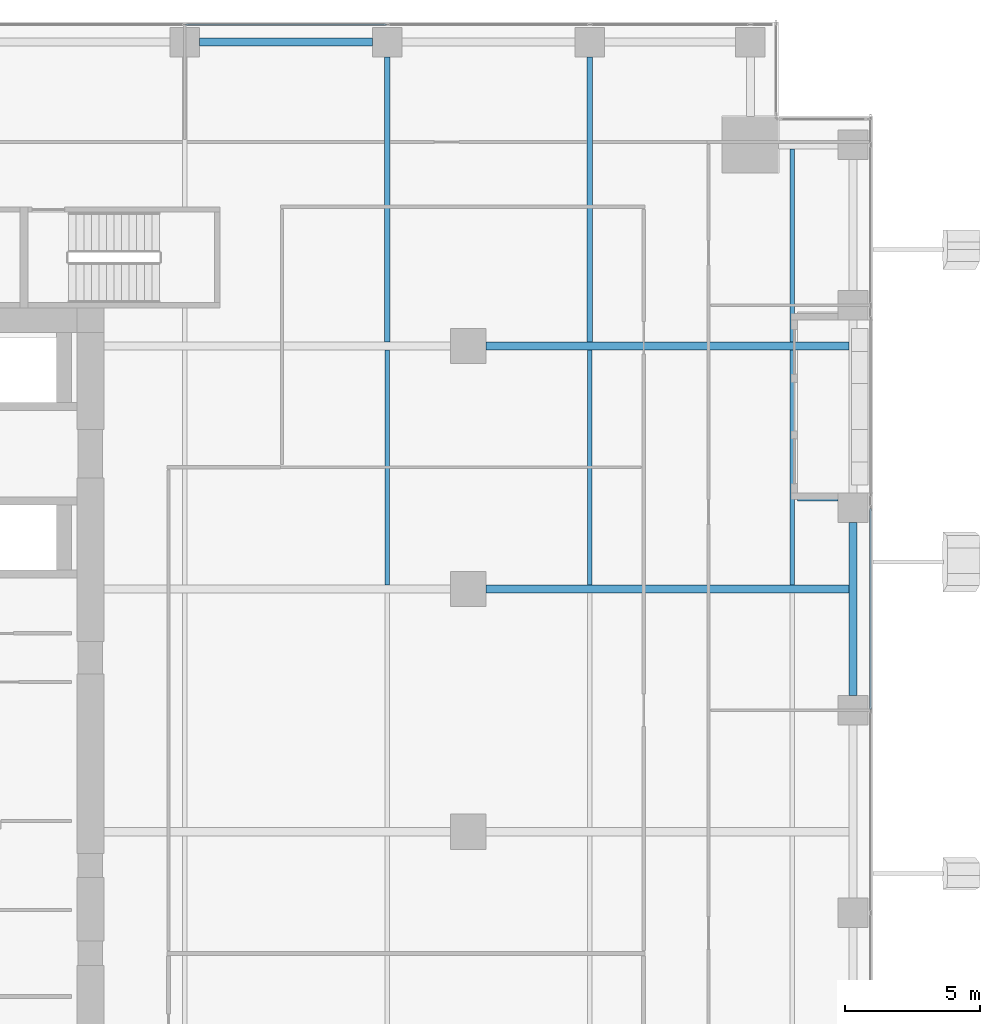
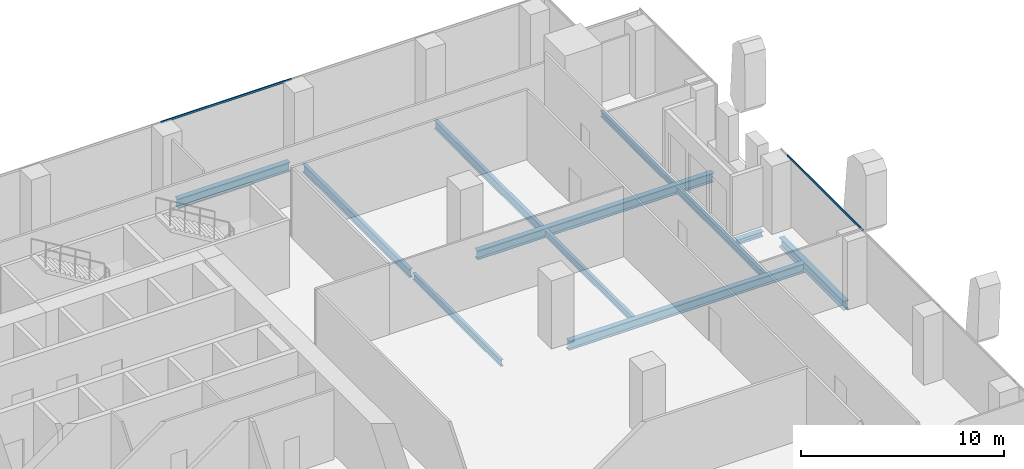
# One storey, part 18 of 35: 11 beams, 2 members, 2 elements without a shape of their own.
"""IFC4 building model written with IfcOpenShell, lengths in metres."""

from ifc_helpers import new_model, si_unit, direction, frame, origin, origin_2d, place, context, subcontext, project, spatial, hollow_rectangle, i_section, extrude, source, transform, mapped, material, material_profile, profile_set, type_object, element, aggregate, save


model = new_model("IFC4")

# Units and contexts
model_context = context("Model", 3, precision=1e-05, world=origin(), true_north=direction((0.0, 1.0)))
body_context = subcontext(model_context, "Body", "Model", "MODEL_VIEW")
ifc_project = project(units=[si_unit("LENGTHUNIT", "METRE"), si_unit("AREAUNIT", "SQUARE_METRE"), si_unit("VOLUMEUNIT", "CUBIC_METRE"), si_unit("PLANEANGLEUNIT", "RADIAN"), si_unit("MASSUNIT", "GRAM", prefix="KILO")], contexts=[model_context])

# Site, building, storey
site_placement = place(None, origin())
site = spatial("IfcSite", under=ifc_project, at=site_placement, CompositionType="ELEMENT")
building_placement = place(site_placement, origin())
building = spatial("IfcBuilding", under=site, at=building_placement, Name="Khomas Fold Tower", CompositionType="ELEMENT")
storey_placement = place(building_placement, frame((0.0, 0.0, 136.699951171875)))
storey = spatial("IfcBuildingStorey", under=building, at=storey_placement, Name="L29", CompositionType="ELEMENT", Elevation=136.699951171875)

# Beams
ifc_material_1 = material(Name="Steel S355", Category="steel")
ifc_material_profile_1 = material_profile(ifc_material_1, i_section(OverallWidth=0.179931640625, OverallDepth=0.39990234375, WebThickness=0.008544921875, FlangeThickness=0.013427734375, at=origin_2d()), Name="IPE 400")
ifc_profile_set_1 = profile_set([ifc_material_profile_1], Name="Steel S355")
beam_type_1 = type_object("IfcBeamType", Name="IPE 400 beam JB3", PredefinedType="BEAM", material=ifc_profile_set_1)
shared_shape_1 = source(origin(), body_context, "Body", "SweptSolid", [
    extrude(i_section(OverallWidth=0.179931640625, OverallDepth=0.39990234375, WebThickness=0.008544921875, FlangeThickness=0.013427734375, at=origin_2d()), origin(), (0.0, 0.0, 1.0), 8.7001953125),
])
for number, where, z_axis, x_axis, name in (
    (1, (34.5, 31.64990234375, -0.5), (0.0, 1.0, 0.0), (-1.0, 0.0, 0.0), "JB3"),
    (2, (42.0, 31.64990234375, -0.5), (0.0, 1.0, 0.0), (-1.0, 0.0, 0.0), "JB3"),
    (3, (49.5, 31.64990234375, -0.5), (0.0, 1.0, 0.0), (-1.0, 0.0, 0.0), "JB3"),
):
    element("IfcBeam", number, at=place(storey_placement, frame(where, z_axis=z_axis, x_axis=x_axis)), inside=storey, type_object=beam_type_1, Name=name, PredefinedType="BEAM", context=body_context, shape_type="MappedRepresentation", body=[
        mapped(shared_shape_1, transform((0.0, 0.0, 0.0))),
    ])
ifc_material_2 = material(Name="Steel S355", Category="steel")
ifc_material_profile_2 = material_profile(ifc_material_2, i_section(OverallWidth=0.169921875, OverallDepth=0.360107421875, WebThickness=0.008056640625, FlangeThickness=0.0126953125, at=origin_2d()), Name="IPE 360")
ifc_profile_set_2 = profile_set([ifc_material_profile_2], Name="Steel S355")
beam_type_2 = type_object("IfcBeamType", Name="IPE 360 beam JB2", PredefinedType="BEAM", material=ifc_profile_set_2)
shared_shape_2 = source(origin(), body_context, "Body", "SweptSolid", [
    extrude(i_section(OverallWidth=0.169921875, OverallDepth=0.360107421875, WebThickness=0.008056640625, FlangeThickness=0.0126953125, at=origin_2d()), origin(), (0.0, 0.0, 1.0), 7.150146484375),
])
beam_1_placement = place(storey_placement, frame((49.5, 40.64990234375, -0.47998046875), z_axis=(0.0, 1.0, 0.0), x_axis=(-1.0, 0.0, 0.0)))
element("IfcBeam", 4, at=beam_1_placement, inside=storey, type_object=beam_type_2, Name="JB2", PredefinedType="BEAM", context=body_context, shape_type="MappedRepresentation", body=[
    mapped(shared_shape_2, transform((0.0, 0.0, 0.0))),
])
ifc_material_3 = material(Name="Steel S355", Category="steel")
ifc_material_profile_3 = material_profile(ifc_material_3, i_section(OverallWidth=0.300048828125, OverallDepth=0.550048828125, WebThickness=0.014892578125, FlangeThickness=0.029052734375, at=origin_2d()), Name="HE 550 B")
ifc_profile_set_3 = profile_set([ifc_material_profile_3], Name="Steel S355")
beam_type_3 = type_object("IfcBeamType", Name="HE 550 B spandrel SB2", PredefinedType="SPANDREL", material=ifc_profile_set_3)
shared_shape_3 = source(origin(), body_context, "Body", "SweptSolid", [
    extrude(i_section(OverallWidth=0.300048828125, OverallDepth=0.550048828125, WebThickness=0.014892578125, FlangeThickness=0.029052734375, at=origin_2d()), origin(), (0.0, 0.0, 1.0), 6.39990234375),
])
for number, where, z_axis, x_axis, name in (
    (5, (51.75, 27.550048828125, -0.574951171875), (0.0, 1.0, 0.0), (-1.0, 0.0, 0.0), "SB2"),
    (6, (27.550048828125, 51.75, -0.574951171875), (1.0, 0.0, 0.0), (0.0, 1.0, 0.0), "SB2"),
):
    element("IfcBeam", number, at=place(storey_placement, frame(where, z_axis=z_axis, x_axis=x_axis)), inside=storey, type_object=beam_type_3, Name=name, PredefinedType="SPANDREL", context=body_context, shape_type="MappedRepresentation", body=[
        mapped(shared_shape_3, transform((0.0, 0.0, 0.0))),
    ])
ifc_material_4 = material(Name="Steel S355", Category="steel")
ifc_material_profile_4 = material_profile(ifc_material_4, i_section(OverallWidth=0.300048828125, OverallDepth=0.550048828125, WebThickness=0.014892578125, FlangeThickness=0.029052734375, at=origin_2d()), Name="HE 550 B")
ifc_profile_set_4 = profile_set([ifc_material_profile_4], Name="Steel S355")
beam_type_4 = type_object("IfcBeamType", Name="HE 550 B beam GB4", PredefinedType="BEAM", material=ifc_profile_set_4)
shared_shape_4 = source(origin(), body_context, "Body", "SweptSolid", [
    extrude(i_section(OverallWidth=0.300048828125, OverallDepth=0.550048828125, WebThickness=0.014892578125, FlangeThickness=0.029052734375, at=origin_2d()), origin(), (0.0, 0.0, 1.0), 13.4501953125),
])
for number, where, z_axis, x_axis, name in (
    (7, (38.14990234375, 31.5, -0.574951171875), (1.0, 0.0, 0.0), (0.0, 1.0, 0.0), "GB4"),
    (8, (38.14990234375, 40.5, -0.574951171875), (1.0, 0.0, 0.0), (0.0, 1.0, 0.0), "GB4"),
):
    element("IfcBeam", number, at=place(storey_placement, frame(where, z_axis=z_axis, x_axis=x_axis)), inside=storey, type_object=beam_type_4, Name=name, PredefinedType="BEAM", context=body_context, shape_type="MappedRepresentation", body=[
        mapped(shared_shape_4, transform((0.0, 0.0, 0.0))),
    ])
ifc_material_5 = material(Name="Steel S355", Category="steel")
ifc_material_profile_5 = material_profile(ifc_material_5, i_section(OverallWidth=0.199951171875, OverallDepth=0.5, WebThickness=0.01025390625, FlangeThickness=0.01611328125, at=origin_2d()), Name="IPE 500")
ifc_profile_set_5 = profile_set([ifc_material_profile_5], Name="Steel S355")
beam_type_5 = type_object("IfcBeamType", Name="IPE 500 beam JB5", PredefinedType="BEAM", material=ifc_profile_set_5)
shared_shape_5 = source(origin(), body_context, "Body", "SweptSolid", [
    extrude(i_section(OverallWidth=0.199951171875, OverallDepth=0.5, WebThickness=0.01025390625, FlangeThickness=0.01611328125, at=origin_2d()), origin(), (0.0, 0.0, 1.0), 10.550048828125),
])
for number, where, z_axis, x_axis, name in (
    (9, (34.5, 40.64990234375, -0.550048828125), (0.0, 1.0, 0.0), (-1.0, 0.0, 0.0), "JB5"),
    (10, (42.0, 40.64990234375, -0.550048828125), (0.0, 1.0, 0.0), (-1.0, 0.0, 0.0), "JB5"),
):
    element("IfcBeam", number, at=place(storey_placement, frame(where, z_axis=z_axis, x_axis=x_axis)), inside=storey, type_object=beam_type_5, Name=name, PredefinedType="BEAM", context=body_context, shape_type="MappedRepresentation", body=[
        mapped(shared_shape_5, transform((0.0, 0.0, 0.0))),
    ])
ifc_material_6 = material(Name="Steel S355", Category="steel")
ifc_material_profile_6 = material_profile(ifc_material_6, i_section(OverallWidth=0.300048828125, OverallDepth=0.300048828125, WebThickness=0.010986328125, FlangeThickness=0.01904296875, at=origin_2d()), Name="HE 300 B")
ifc_profile_set_6 = profile_set([ifc_material_profile_6], Name="Steel S355")
beam_type_6 = type_object("IfcBeamType", Name="HE 300 B beam BB1", PredefinedType="BEAM", material=ifc_profile_set_6)
shared_shape_6 = source(origin(), body_context, "Body", "SweptSolid", [
    extrude(i_section(OverallWidth=0.300048828125, OverallDepth=0.300048828125, WebThickness=0.010986328125, FlangeThickness=0.01904296875, at=origin_2d()), origin(), (0.0, 0.0, 1.0), 1.5),
])
beam_2_placement = place(storey_placement, frame((49.699951171875, 34.89990234375, -0.449951171875), z_axis=(1.0, 0.0, 0.0), x_axis=(0.0, 1.0, 0.0)))
element("IfcBeam", 11, at=beam_2_placement, inside=storey, type_object=beam_type_6, Name="BB1", PredefinedType="BEAM", context=body_context, shape_type="MappedRepresentation", body=[
    mapped(shared_shape_6, transform((0.0, 0.0, 0.0))),
])

# Curtain wall, member
ifc_material_7 = material(Name="Aluminium framed double glazing", Category="aluminium")
curtain_wall_type = type_object("IfcCurtainWallType", Name="SK-Unitised clear-glass wall, growing floors CW1", PredefinedType="NOTDEFINED", material=ifc_material_7)
curtain_wall_1_placement = place(storey_placement, origin())
curtain_wall_1 = element("IfcCurtainWall", 12, at=curtain_wall_1_placement, inside=storey, type_object=curtain_wall_type, Name="CW1 run L29 03-0", PredefinedType="NOTDEFINED")
ifc_material_8 = material(Name="Aluminium", Category="aluminium")
ifc_material_profile_7 = material_profile(ifc_material_8, hollow_rectangle(XDim=0.06005859375, YDim=0.1201171875, WallThickness=0.00390625, at=origin_2d()), Name="SK-Unitised clear-glass wall, growing floors transom CW1-T")
ifc_profile_set_7 = profile_set([ifc_material_profile_7], Name="Aluminium")
member_type = type_object("IfcMemberType", Name="SK-Unitised clear-glass wall, growing floors transom CW1-T", PredefinedType="USERDEFINED", material=ifc_profile_set_7)
shared_shape_7 = source(origin(), body_context, "Body", "SweptSolid", [
    extrude(hollow_rectangle(XDim=0.06005859375, YDim=0.1201171875, WallThickness=0.00390625, at=origin_2d()), origin(), (0.0, 0.0, 1.0), 7.43994140625),
])
member_1_placement = place(storey_placement, frame((52.39990234375, 27.030029296875, 4.0400390625), z_axis=(0.0, 1.0, 0.0), x_axis=(-1.0, 0.0, 0.0)))
member_1 = element("IfcMember", 13, at=member_1_placement, type_object=member_type, Name="CW1 transom 5", ObjectType="TRANSOM", PredefinedType="USERDEFINED", context=body_context, shape_type="MappedRepresentation", body=[
    mapped(shared_shape_7, transform((0.0, 0.0, 0.0))),
])
aggregate(curtain_wall_1, [member_1])

curtain_wall_2_placement = place(storey_placement, origin())
curtain_wall_2 = element("IfcCurtainWall", 14, at=curtain_wall_2_placement, inside=storey, type_object=curtain_wall_type, Name="CW1 run L29 06-0", PredefinedType="NOTDEFINED")
member_2_placement = place(storey_placement, frame((34.469970703125, 52.39990234375, 4.0400390625), z_axis=(-1.0, 0.0, 0.0), x_axis=(0.0, -1.0, 0.0)))
member_2 = element("IfcMember", 15, at=member_2_placement, type_object=member_type, Name="CW1 transom 4", ObjectType="TRANSOM", PredefinedType="USERDEFINED", context=body_context, shape_type="MappedRepresentation", body=[
    mapped(shared_shape_7, transform((0.0, 0.0, 0.0))),
])
aggregate(curtain_wall_2, [member_2])

save(model, "model.ifc")
